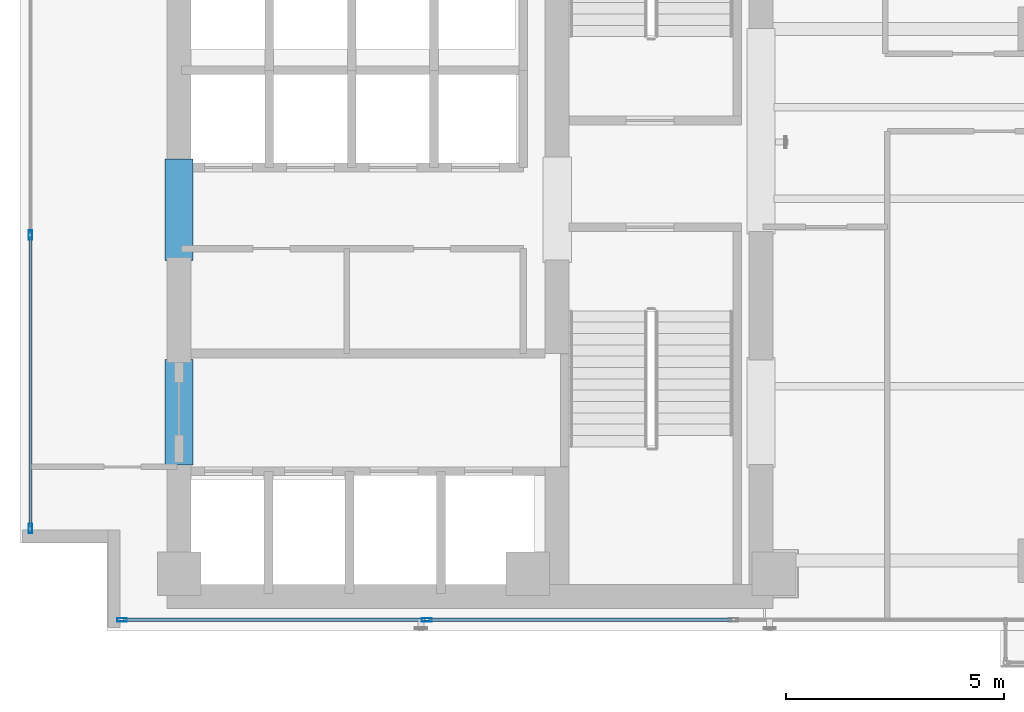
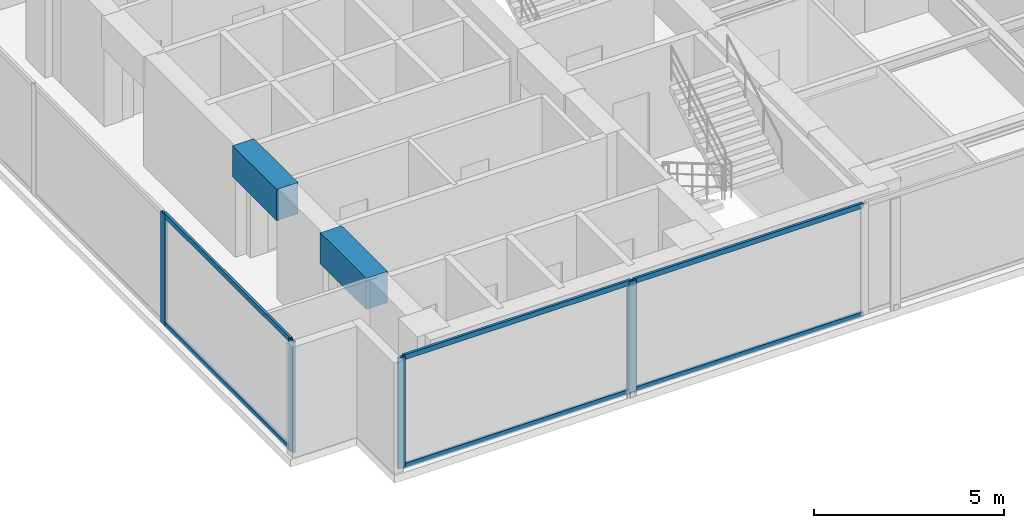
# One storey, part 2 of 23: 10 members, 2 beams, 2 elements without a shape of their own.
"""IFC4 building model written with IfcOpenShell, lengths in metres."""

from ifc_helpers import new_model, si_unit, direction, frame, origin, origin_with_axes, origin_2d, place, context, subcontext, project, spatial, rectangle, hollow_rectangle, extrude, source, transform, mapped, material, layer, layer_set, material_profile, profile_set, type_object, element, aggregate, save


model = new_model("IFC4")

# Units and contexts
model_context = context("Model", 3, precision=1e-05, world=origin(), true_north=direction((0.0, 1.0)))
body_context = subcontext(model_context, "Body", "Model", "MODEL_VIEW")
ifc_project = project(units=[si_unit("LENGTHUNIT", "METRE"), si_unit("AREAUNIT", "SQUARE_METRE"), si_unit("VOLUMEUNIT", "CUBIC_METRE"), si_unit("PLANEANGLEUNIT", "RADIAN"), si_unit("MASSUNIT", "GRAM", prefix="KILO")], contexts=[model_context])

# Site, building, storey
site_placement = place(None, origin())
site = spatial("IfcSite", under=ifc_project, at=site_placement, CompositionType="ELEMENT")
building_placement = place(site_placement, origin())
building = spatial("IfcBuilding", under=site, at=building_placement, Name="Kolvaren Waterfront Exchange", CompositionType="ELEMENT")
storey_placement = place(building_placement, frame((0.0, 0.0, 215.89990234375)))
storey = spatial("IfcBuildingStorey", under=building, at=storey_placement, Name="L55", CompositionType="ELEMENT", Elevation=215.89990234375)

# Beams
ifc_material_1 = material(Name="Concrete C60/75", Category="concrete")
ifc_material_profile_1 = material_profile(ifc_material_1, rectangle(XDim=0.64990234375, YDim=1.0, at=origin_2d()), Name="RC-CB-1000x650")
ifc_profile_set_1 = profile_set([ifc_material_profile_1], Name="Concrete C60/75")
beam_type = type_object("IfcBeamType", Name="STR-CB-1000", PredefinedType="SPANDREL", material=ifc_profile_set_1)
beam_1_placement = place(storey_placement, frame((7.449951171875, 7.389892578125, 3.06005859375), z_axis=(0.0, 1.0, 0.0), x_axis=(-1.0, 0.0, 0.0)))
element("IfcBeam", 1, at=beam_1_placement, inside=storey, type_object=beam_type, Name="L55 core coupling beam 3", PredefinedType="SPANDREL", context=body_context, shape_type="SweptSolid", body=[
    extrude(rectangle(XDim=0.64990234375, YDim=1.0, at=origin_2d()), origin(), (0.0, 0.0, 1.0), 2.420166015625),
])
beam_2_placement = place(storey_placement, frame((7.449951171875, 12.090087890625, 3.06005859375), z_axis=(0.0, 1.0, 0.0), x_axis=(-1.0, 0.0, 0.0)))
element("IfcBeam", 2, at=beam_2_placement, inside=storey, type_object=beam_type, Name="L55 core coupling beam 4", PredefinedType="SPANDREL", context=body_context, shape_type="SweptSolid", body=[
    extrude(rectangle(XDim=0.64990234375, YDim=1.0, at=origin_2d()), origin(), (0.0, 0.0, 1.0), 2.31982421875),
])

# Curtain wall, members
ifc_material_2 = material(Name="Anodised bronze aluminium 6063-T6", Category="aluminium")
ifc_layer_1 = layer(ifc_material_2, 0.219970703125, Name="Anodised bronze aluminium 6063-T6")
ifc_layer_set_1 = layer_set([ifc_layer_1], Name="Anodised bronze aluminium 6063-T6")
curtain_wall_type_1 = type_object("IfcCurtainWallType", Name="ARC-CW-SYS1", PredefinedType="USERDEFINED", material=ifc_layer_set_1)
curtain_wall_1_placement = place(storey_placement, origin())
curtain_wall_1 = element("IfcCurtainWall", 3, at=curtain_wall_1_placement, inside=storey, type_object=curtain_wall_type_1, Name="L55 stick curtain wall CW1 (CW-L55-S)", ObjectType="STICK CURTAIN WALL", PredefinedType="USERDEFINED")
ifc_material_3 = material(Name="Anodised aluminium 6063-T6", Category="aluminium")
ifc_material_profile_2 = material_profile(ifc_material_3, hollow_rectangle(XDim=0.080078125, YDim=0.219970703125, WallThickness=0.0048828125, at=origin_2d()), Name="ALU-MUL-220x80x5")
ifc_profile_set_2 = profile_set([ifc_material_profile_2], Name="Anodised aluminium 6063-T6")
member_type_1 = type_object("IfcMemberType", Name="ARC-CWM-220", PredefinedType="MULLION", material=ifc_profile_set_2)
shared_shape_1 = source(origin_with_axes(), body_context, "Body", "SweptSolid", [
    extrude(hollow_rectangle(XDim=0.080078125, YDim=0.219970703125, WallThickness=0.0048828125, at=origin_2d()), origin(), (0.0, 0.0, 1.0), 3.56005859375),
])
member_1_placement = place(storey_placement, frame((6.139892578125, 3.840087890625, 0.0), z_axis=(0.0, 0.0, 1.0), x_axis=(0.0, 1.0, 0.0)))
member_1 = element("IfcMember", 4, at=member_1_placement, type_object=member_type_1, Name="CW1 mullion 1", PredefinedType="MULLION", context=body_context, shape_type="MappedRepresentation", body=[
    mapped(shared_shape_1, transform((0.0, 0.0, 0.0), x_axis=(1.0, 0.0, 0.0), y_axis=(0.0, 1.0, 0.0), z_axis=(0.0, 0.0, 1.0), scale=1.0)),
])
member_2_placement = place(storey_placement, frame((13.13330078125, 3.840087890625, 0.0), z_axis=(0.0, 0.0, 1.0), x_axis=(0.0, 1.0, 0.0)))
member_2 = element("IfcMember", 5, at=member_2_placement, type_object=member_type_1, Name="CW1 mullion 2", PredefinedType="MULLION", context=body_context, shape_type="MappedRepresentation", body=[
    mapped(shared_shape_1, transform((0.0, 0.0, 0.0), x_axis=(1.0, 0.0, 0.0), y_axis=(0.0, 1.0, 0.0), z_axis=(0.0, 0.0, 1.0), scale=1.0)),
])

ifc_layer_2 = layer(ifc_material_3, 0.219970703125, Name="Anodised aluminium 6063-T6")
ifc_layer_set_2 = layer_set([ifc_layer_2], Name="Anodised aluminium 6063-T6")
curtain_wall_type_2 = type_object("IfcCurtainWallType", Name="ARC-CW-SYS2", PredefinedType="USERDEFINED", material=ifc_layer_set_2)
curtain_wall_2_placement = place(storey_placement, origin())
curtain_wall_2 = element("IfcCurtainWall", 6, at=curtain_wall_2_placement, inside=storey, type_object=curtain_wall_type_2, Name="L55 stick curtain wall CW2 (CW-L55-W)", ObjectType="STICK CURTAIN WALL", PredefinedType="USERDEFINED")
member_3_placement = place(storey_placement, frame((4.0400390625, 5.93994140625, 0.0), z_axis=(0.0, 0.0, 1.0), x_axis=(-1.0, 0.0, 0.0)))
member_3 = element("IfcMember", 7, at=member_3_placement, type_object=member_type_1, Name="CW2 mullion 1", PredefinedType="MULLION", context=body_context, shape_type="MappedRepresentation", body=[
    mapped(shared_shape_1, transform((0.0, 0.0, 0.0), x_axis=(1.0, 0.0, 0.0), y_axis=(0.0, 1.0, 0.0), z_axis=(0.0, 0.0, 1.0), scale=1.0)),
])
member_4_placement = place(storey_placement, frame((4.0400390625, 12.666748046875, 0.0), z_axis=(0.0, 0.0, 1.0), x_axis=(-1.0, 0.0, 0.0)))
member_4 = element("IfcMember", 8, at=member_4_placement, type_object=member_type_1, Name="CW2 mullion 2", PredefinedType="MULLION", context=body_context, shape_type="MappedRepresentation", body=[
    mapped(shared_shape_1, transform((0.0, 0.0, 0.0), x_axis=(1.0, 0.0, 0.0), y_axis=(0.0, 1.0, 0.0), z_axis=(0.0, 0.0, 1.0), scale=1.0)),
])
ifc_material_profile_3 = material_profile(ifc_material_3, hollow_rectangle(XDim=0.074951171875, YDim=0.159912109375, WallThickness=0.00439453125, at=origin_2d()), Name="ALU-TRN-160x75x4.5")
ifc_profile_set_3 = profile_set([ifc_material_profile_3], Name="Anodised aluminium 6063-T6")
member_type_2 = type_object("IfcMemberType", Name="ARC-CWT-160", PredefinedType="USERDEFINED", material=ifc_profile_set_3)
shared_shape_2 = source(origin_with_axes(), body_context, "Body", "SweptSolid", [
    extrude(hollow_rectangle(XDim=0.074951171875, YDim=0.159912109375, WallThickness=0.00439453125, at=origin_2d()), origin(), (0.0, 0.0, 1.0), 6.646728515625),
])
member_5_placement = place(storey_placement, frame((4.0400390625, 5.97998046875, 0.03759765625), z_axis=(0.0, 1.0, 0.0), x_axis=(-1.0, 0.0, 0.0)))
member_5 = element("IfcMember", 9, at=member_5_placement, type_object=member_type_2, Name="CW2 transom 1.1", ObjectType="TRANSOM", PredefinedType="USERDEFINED", context=body_context, shape_type="MappedRepresentation", body=[
    mapped(shared_shape_2, transform((0.0, 0.0, 0.0), x_axis=(1.0, 0.0, 0.0), y_axis=(0.0, 1.0, 0.0), z_axis=(0.0, 0.0, 1.0), scale=1.0)),
])
member_6_placement = place(storey_placement, frame((4.0400390625, 5.97998046875, 3.522705078125), z_axis=(0.0, 1.0, 0.0), x_axis=(-1.0, 0.0, 0.0)))
member_6 = element("IfcMember", 10, at=member_6_placement, type_object=member_type_2, Name="CW2 transom 1.2", ObjectType="TRANSOM", PredefinedType="USERDEFINED", context=body_context, shape_type="MappedRepresentation", body=[
    mapped(shared_shape_2, transform((0.0, 0.0, 0.0), x_axis=(1.0, 0.0, 0.0), y_axis=(0.0, 1.0, 0.0), z_axis=(0.0, 0.0, 1.0), scale=1.0)),
])
aggregate(curtain_wall_2, [member_3, member_4, member_5, member_6])

# Member
shared_shape_3 = source(origin_with_axes(), body_context, "Body", "SweptSolid", [
    extrude(hollow_rectangle(XDim=0.074951171875, YDim=0.159912109375, WallThickness=0.00439453125, at=origin_2d()), origin(), (0.0, 0.0, 1.0), 6.913330078125),
])
member_7_placement = place(storey_placement, frame((6.179931640625, 3.840087890625, 0.03759765625), z_axis=(1.0, 0.0, 0.0), x_axis=(0.0, 1.0, 0.0)))
member_7 = element("IfcMember", 11, at=member_7_placement, type_object=member_type_2, Name="CW1 transom 1.1", ObjectType="TRANSOM", PredefinedType="USERDEFINED", context=body_context, shape_type="MappedRepresentation", body=[
    mapped(shared_shape_3, transform((0.0, 0.0, 0.0), x_axis=(1.0, 0.0, 0.0), y_axis=(0.0, 1.0, 0.0), z_axis=(0.0, 0.0, 1.0), scale=1.0)),
])

member_8_placement = place(storey_placement, frame((6.179931640625, 3.840087890625, 3.522705078125), z_axis=(1.0, 0.0, 0.0), x_axis=(0.0, 1.0, 0.0)))
member_8 = element("IfcMember", 12, at=member_8_placement, type_object=member_type_2, Name="CW1 transom 1.2", ObjectType="TRANSOM", PredefinedType="USERDEFINED", context=body_context, shape_type="MappedRepresentation", body=[
    mapped(shared_shape_3, transform((0.0, 0.0, 0.0), x_axis=(1.0, 0.0, 0.0), y_axis=(0.0, 1.0, 0.0), z_axis=(0.0, 0.0, 1.0), scale=1.0)),
])

shared_shape_4 = source(origin_with_axes(), body_context, "Body", "SweptSolid", [
    extrude(hollow_rectangle(XDim=0.074951171875, YDim=0.159912109375, WallThickness=0.00439453125, at=origin_2d()), origin(), (0.0, 0.0, 1.0), 6.953369140625),
])
member_9_placement = place(storey_placement, frame((13.17333984375, 3.840087890625, 0.03759765625), z_axis=(1.0, 0.0, 0.0), x_axis=(0.0, 1.0, 0.0)))
member_9 = element("IfcMember", 13, at=member_9_placement, type_object=member_type_2, Name="CW1 transom 2.1", ObjectType="TRANSOM", PredefinedType="USERDEFINED", context=body_context, shape_type="MappedRepresentation", body=[
    mapped(shared_shape_4, transform((0.0, 0.0, 0.0), x_axis=(1.0, 0.0, 0.0), y_axis=(0.0, 1.0, 0.0), z_axis=(0.0, 0.0, 1.0), scale=1.0)),
])

member_10_placement = place(storey_placement, frame((13.17333984375, 3.840087890625, 3.522705078125), z_axis=(1.0, 0.0, 0.0), x_axis=(0.0, 1.0, 0.0)))
member_10 = element("IfcMember", 14, at=member_10_placement, type_object=member_type_2, Name="CW1 transom 2.2", ObjectType="TRANSOM", PredefinedType="USERDEFINED", context=body_context, shape_type="MappedRepresentation", body=[
    mapped(shared_shape_4, transform((0.0, 0.0, 0.0), x_axis=(1.0, 0.0, 0.0), y_axis=(0.0, 1.0, 0.0), z_axis=(0.0, 0.0, 1.0), scale=1.0)),
])

aggregate(curtain_wall_1, [member_1, member_2, member_7, member_8, member_9, member_10])

save(model, "model.ifc")
